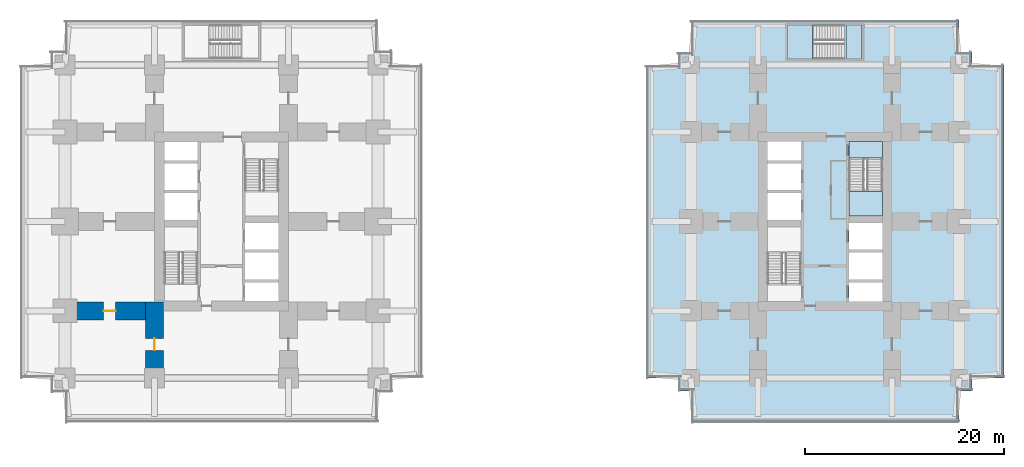
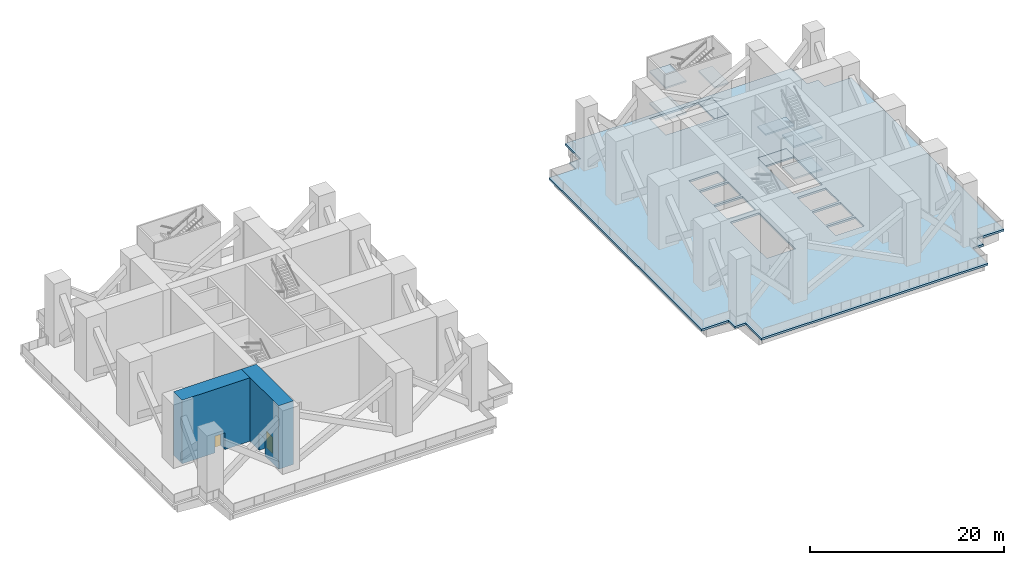
# One storey, part 3 of 12: 9 slabs, 2 doors, 2 walls, 2 openings, 2 elements without a shape of their own.
"""IFC4 building model written with IfcOpenShell, lengths in metres."""

from ifc_helpers import new_model, si_unit, direction, frame, frame_2d, origin, place, context, subcontext, project, spatial, polyline, rectangle, outline, extrude, material, layer, layer_set, type_object, element, fill, aggregate, save


model = new_model("IFC4")

# Units and contexts
model_context = context("Model", 3, precision=1e-05, world=origin(), true_north=direction((0.0, 1.0)))
body_context = subcontext(model_context, "Body", "Model", "MODEL_VIEW")
ifc_project = project(units=[si_unit("LENGTHUNIT", "METRE"), si_unit("AREAUNIT", "SQUARE_METRE"), si_unit("VOLUMEUNIT", "CUBIC_METRE"), si_unit("PLANEANGLEUNIT", "RADIAN"), si_unit("MASSUNIT", "GRAM", prefix="KILO")], contexts=[model_context])

# Site, building, storey
site_placement = place(None, origin())
site = spatial("IfcSite", under=ifc_project, at=site_placement, CompositionType="ELEMENT")
building_placement = place(site_placement, origin())
building = spatial("IfcBuilding", under=site, at=building_placement, Name="Namib Vertical Campus", CompositionType="ELEMENT")
storey_placement = place(building_placement, frame((0.0, 0.0, 77.0)))
storey = spatial("IfcBuildingStorey", under=building, at=storey_placement, Name="L18", CompositionType="ELEMENT", Elevation=77.0)

# Slab
ifc_material_1 = material(Name="Concrete C40/50", Category="concrete")
ifc_layer_1 = layer(ifc_material_1, 0.25)
ifc_layer_set_1 = layer_set([ifc_layer_1], Name="Concrete C40/50")
slab_type_1 = type_object("IfcSlabType", Name="Floor slab 250", PredefinedType="FLOOR", material=ifc_layer_set_1)
slab_1_placement = place(storey_placement, frame((0.0, 0.0, -0.25)))
element("IfcSlab", 1, at=slab_1_placement, inside=storey, type_object=slab_type_1, Name="Floor slab B L18", PredefinedType="FLOOR", context=body_context, shape_type="SweptSolid", body=[
    extrude(outline(polyline([(67.5, 0.0), (94.5, 0.0), (94.5, 3.199951171875), (95.800048828125, 3.199951171875), (95.800048828125, 4.5), (99.0, 4.5), (99.0, 36.0), (95.800048828125, 36.0), (95.800048828125, 37.300048828125), (94.5, 37.300048828125), (94.5, 40.5), (67.5, 40.5), (67.5, 37.300048828125), (66.199951171875, 37.300048828125), (66.199951171875, 36.0), (63.0, 36.0), (63.0, 4.5), (66.199951171875, 4.5), (66.199951171875, 3.199951171875), (67.5, 3.199951171875), (67.5, 0.0)]), holes=[polyline([(75.199951171875, 12.199951171875), (78.60009765625, 12.199951171875), (78.60009765625, 19.699951171875), (75.199951171875, 19.699951171875), (75.199951171875, 12.199951171875)]), polyline([(83.39990234375, 20.800048828125), (86.800048828125, 20.800048828125), (86.800048828125, 28.300048828125), (83.39990234375, 28.300048828125), (83.39990234375, 20.800048828125)]), polyline([(83.39990234375, 12.199951171875), (86.800048828125, 12.199951171875), (86.800048828125, 14.10009765625), (83.39990234375, 14.10009765625), (83.39990234375, 12.199951171875)]), polyline([(75.199951171875, 20.39990234375), (78.60009765625, 20.39990234375), (78.60009765625, 23.10009765625), (75.199951171875, 23.10009765625), (75.199951171875, 20.39990234375)]), polyline([(75.199951171875, 23.39990234375), (78.60009765625, 23.39990234375), (78.60009765625, 26.10009765625), (75.199951171875, 26.10009765625), (75.199951171875, 23.39990234375)]), polyline([(75.199951171875, 26.39990234375), (78.60009765625, 26.39990234375), (78.60009765625, 28.300048828125), (75.199951171875, 28.300048828125), (75.199951171875, 26.39990234375)]), polyline([(83.39990234375, 14.39990234375), (86.800048828125, 14.39990234375), (86.800048828125, 17.10009765625), (83.39990234375, 17.10009765625), (83.39990234375, 14.39990234375)]), polyline([(83.39990234375, 17.39990234375), (86.800048828125, 17.39990234375), (86.800048828125, 20.10009765625), (83.39990234375, 20.10009765625), (83.39990234375, 17.39990234375)]), polyline([(77.25, 36.60009765625), (84.75, 36.60009765625), (84.75, 40.0), (77.25, 40.0), (77.25, 36.60009765625)])]), origin(), (0.0, 0.0, 1.0), 0.25),
])

# Stair, slabs
ifc_material_2 = material(Name="Concrete C40/50 precast", Category="concrete")
stair_type = type_object("IfcStairType", Name="Exit stair 8000 rise 48 risers 3400 wide", PredefinedType="HALF_TURN_STAIR", material=ifc_material_2)
stair_1_placement = place(storey_placement, origin())
stair_1 = element("IfcStair", 2, at=stair_1_placement, inside=storey, type_object=stair_type, Name="Exit stair B-S2 L18", PredefinedType="HALF_TURN_STAIR")
ifc_material_3 = material(Name="Concrete C40/50", Category="concrete")
ifc_layer_2 = layer(ifc_material_3, 0.199951171875)
ifc_layer_set_2 = layer_set([ifc_layer_2], Name="Concrete C40/50")
slab_type_2 = type_object("IfcSlabType", Name="Stair landing 200", PredefinedType="LANDING", material=ifc_layer_set_2)
slab_2_placement = place(storey_placement, frame((0.0, 0.0, -0.199951171875)))
slab_2 = element("IfcSlab", 3, at=slab_2_placement, type_object=slab_type_2, Name="B-S2 landing 1", PredefinedType="LANDING", context=body_context, shape_type="SweptSolid", body=[
    extrude(outline(polyline([(83.39990234375, 26.64599609375), (86.800048828125, 26.64599609375), (86.800048828125, 28.300048828125), (83.39990234375, 28.300048828125), (83.39990234375, 26.64599609375)])), origin(), (0.0, 0.0, 1.0), 0.199951171875),
])
slab_3_placement = place(storey_placement, frame((0.0, 0.0, 1.800048828125)))
slab_3 = element("IfcSlab", 4, at=slab_3_placement, type_object=slab_type_2, Name="B-S2 landing 2", PredefinedType="LANDING", context=body_context, shape_type="SweptSolid", body=[
    extrude(outline(polyline([(83.39990234375, 20.800048828125), (86.800048828125, 20.800048828125), (86.800048828125, 23.27392578125), (83.39990234375, 23.27392578125), (83.39990234375, 20.800048828125)])), origin(), (0.0, 0.0, 1.0), 0.199951171875),
])
slab_4_placement = place(storey_placement, frame((0.0, 0.0, 3.800048828125)))
slab_4 = element("IfcSlab", 5, at=slab_4_placement, type_object=slab_type_2, Name="B-S2 landing 3", PredefinedType="LANDING", context=body_context, shape_type="SweptSolid", body=[
    extrude(outline(polyline([(83.39990234375, 26.64599609375), (86.800048828125, 26.64599609375), (86.800048828125, 28.300048828125), (83.39990234375, 28.300048828125), (83.39990234375, 26.64599609375)])), origin(), (0.0, 0.0, 1.0), 0.199951171875),
])
slab_5_placement = place(storey_placement, frame((0.0, 0.0, 5.800048828125)))
slab_5 = element("IfcSlab", 6, at=slab_5_placement, type_object=slab_type_2, Name="B-S2 landing 4", PredefinedType="LANDING", context=body_context, shape_type="SweptSolid", body=[
    extrude(outline(polyline([(83.39990234375, 20.800048828125), (86.800048828125, 20.800048828125), (86.800048828125, 23.27392578125), (83.39990234375, 23.27392578125), (83.39990234375, 20.800048828125)])), origin(), (0.0, 0.0, 1.0), 0.199951171875),
])
aggregate(stair_1, [slab_2, slab_3, slab_4, slab_5])

stair_2_placement = place(storey_placement, origin())
stair_2 = element("IfcStair", 7, at=stair_2_placement, inside=storey, type_object=stair_type, Name="Exit stair B-S3 L18", PredefinedType="HALF_TURN_STAIR")
slab_6_placement = place(storey_placement, frame((0.0, 0.0, -0.199951171875)))
slab_6 = element("IfcSlab", 8, at=slab_6_placement, type_object=slab_type_2, Name="B-S3 landing 1", PredefinedType="LANDING", context=body_context, shape_type="SweptSolid", body=[
    extrude(outline(polyline([(83.09619140625, 36.60009765625), (83.09619140625, 40.0), (84.75, 40.0), (84.75, 36.60009765625), (83.09619140625, 36.60009765625)])), origin(), (0.0, 0.0, 1.0), 0.199951171875),
])
slab_7_placement = place(storey_placement, frame((0.0, 0.0, 1.800048828125)))
slab_7 = element("IfcSlab", 9, at=slab_7_placement, type_object=slab_type_2, Name="B-S3 landing 2", PredefinedType="LANDING", context=body_context, shape_type="SweptSolid", body=[
    extrude(outline(polyline([(77.25, 36.60009765625), (77.25, 40.0), (79.723876953125, 40.0), (79.723876953125, 36.60009765625), (77.25, 36.60009765625)])), origin(), (0.0, 0.0, 1.0), 0.199951171875),
])
slab_8_placement = place(storey_placement, frame((0.0, 0.0, 3.800048828125)))
slab_8 = element("IfcSlab", 10, at=slab_8_placement, type_object=slab_type_2, Name="B-S3 landing 3", PredefinedType="LANDING", context=body_context, shape_type="SweptSolid", body=[
    extrude(outline(polyline([(83.09619140625, 36.60009765625), (83.09619140625, 40.0), (84.75, 40.0), (84.75, 36.60009765625), (83.09619140625, 36.60009765625)])), origin(), (0.0, 0.0, 1.0), 0.199951171875),
])
slab_9_placement = place(storey_placement, frame((0.0, 0.0, 5.800048828125)))
slab_9 = element("IfcSlab", 11, at=slab_9_placement, type_object=slab_type_2, Name="B-S3 landing 4", PredefinedType="LANDING", context=body_context, shape_type="SweptSolid", body=[
    extrude(outline(polyline([(77.25, 36.60009765625), (77.25, 40.0), (79.723876953125, 40.0), (79.723876953125, 36.60009765625), (77.25, 36.60009765625)])), origin(), (0.0, 0.0, 1.0), 0.199951171875),
])
aggregate(stair_2, [slab_6, slab_7, slab_8, slab_9])

# Wall, opening, door
ifc_material_4 = material(Name="Concrete C60/75", Category="concrete")
ifc_layer_3 = layer(ifc_material_4, 1.800048828125)
ifc_layer_set_3 = layer_set([ifc_layer_3], Name="Concrete C60/75")
wall_type = type_object("IfcWallType", Name="Outrigger wall 1800", PredefinedType="SHEAR", material=ifc_layer_set_3)
wall_1_placement = place(storey_placement, frame((13.5, 4.5, 0.0), z_axis=(0.0, 0.0, 1.0), x_axis=(0.0, 1.0, 0.0)))
wall_1 = element("IfcWall", 12, at=wall_1_placement, inside=storey, type_object=wall_type, Name="Outrigger wall A L18 OR1", PredefinedType="SHEAR", context=body_context, shape_type="SweptSolid", body=[
    extrude(rectangle(XDim=7.64990234375, YDim=1.800048828125, at=frame_2d((3.824951171875, 0.0))), origin(), (0.0, 0.0, 1.0), 8.0),
])
opening_1_placement = place(wall_1_placement, frame((2.77490234375, 0.0, 0.0)))
opening_1 = element("IfcOpeningElement", 13, at=opening_1_placement, cuts=wall_1, Name="Opening RD1", PredefinedType="OPENING", context=body_context, shape_type="SweptSolid", body=[
    extrude(rectangle(XDim=1.199951171875, YDim=2.10009765625, at=frame_2d((0.60009765625, 1.050048828125))), frame((0.0, 0.909912109375, 0.0), z_axis=(0.0, -1.0, 0.0), x_axis=(1.0, 0.0, 0.0)), (0.0, 0.0, 1.0), 1.820068359375),
])
ifc_material_5 = material(Name="Steel fire door", Category="steel")
door_type = type_object("IfcDoorType", Name="Refuge door 1200x2100", OperationType="DOUBLE_DOOR_DOUBLE_SWING", PredefinedType="DOOR", material=ifc_material_5)
door_1_placement = place(opening_1_placement, origin())
door_1 = element("IfcDoor", 14, at=door_1_placement, inside=storey, type_object=door_type, Name="Refuge door RD1 A L18 OR1", OperationType="DOUBLE_DOOR_DOUBLE_SWING", OverallHeight=2.10009765625, OverallWidth=1.199951171875, PredefinedType="DOOR", context=body_context, shape_type="SweptSolid", body=[
    extrude(rectangle(XDim=1.199951171875, YDim=2.10009765625, at=frame_2d((0.60009765625, 1.050048828125))), frame((0.0, 0.02490234375, 0.0), z_axis=(0.0, -1.0, 0.0), x_axis=(1.0, 0.0, 0.0)), (0.0, 0.0, 1.0), 0.050048828125),
])
fill(opening_1, door_1)

wall_2_placement = place(storey_placement, frame((4.5, 11.25, 0.0), z_axis=(0.0, 0.0, 1.0), x_axis=(1.0, 0.0, 0.0)))
wall_2 = element("IfcWall", 15, at=wall_2_placement, inside=storey, type_object=wall_type, Name="Outrigger wall A L18 OR7", PredefinedType="SHEAR", context=body_context, shape_type="SweptSolid", body=[
    extrude(rectangle(XDim=8.10009765625, YDim=1.800048828125, at=frame_2d((4.050048828125, 0.0))), origin(), (0.0, 0.0, 1.0), 8.0),
])
opening_2_placement = place(wall_2_placement, frame((3.89990234375, 0.0, 0.0)))
opening_2 = element("IfcOpeningElement", 16, at=opening_2_placement, cuts=wall_2, Name="Opening RD1", PredefinedType="OPENING", context=body_context, shape_type="SweptSolid", body=[
    extrude(rectangle(XDim=1.199951171875, YDim=2.10009765625, at=frame_2d((0.60009765625, 1.050048828125))), frame((0.0, 0.909912109375, 0.0), z_axis=(0.0, -1.0, 0.0), x_axis=(1.0, 0.0, 0.0)), (0.0, 0.0, 1.0), 1.820068359375),
])
door_2_placement = place(opening_2_placement, origin())
door_2 = element("IfcDoor", 17, at=door_2_placement, inside=storey, type_object=door_type, Name="Refuge door RD1 A L18 OR7", OperationType="DOUBLE_DOOR_DOUBLE_SWING", OverallHeight=2.10009765625, OverallWidth=1.199951171875, PredefinedType="DOOR", context=body_context, shape_type="SweptSolid", body=[
    extrude(rectangle(XDim=1.199951171875, YDim=2.10009765625, at=frame_2d((0.60009765625, 1.050048828125))), frame((0.0, 0.02490234375, 0.0), z_axis=(0.0, -1.0, 0.0), x_axis=(1.0, 0.0, 0.0)), (0.0, 0.0, 1.0), 0.050048828125),
])
fill(opening_2, door_2)

save(model, "model.ifc")
